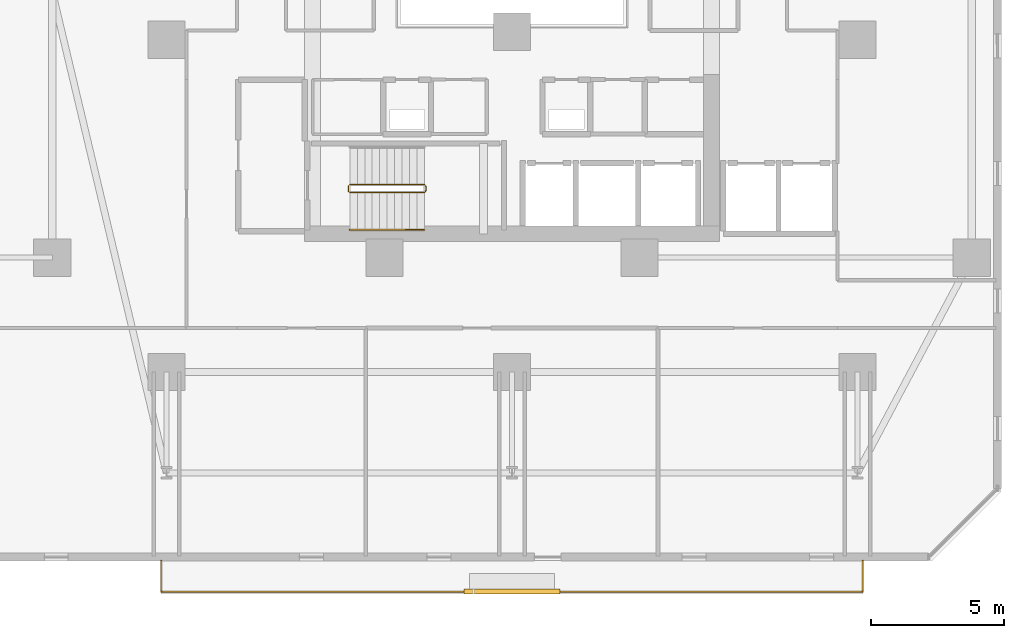
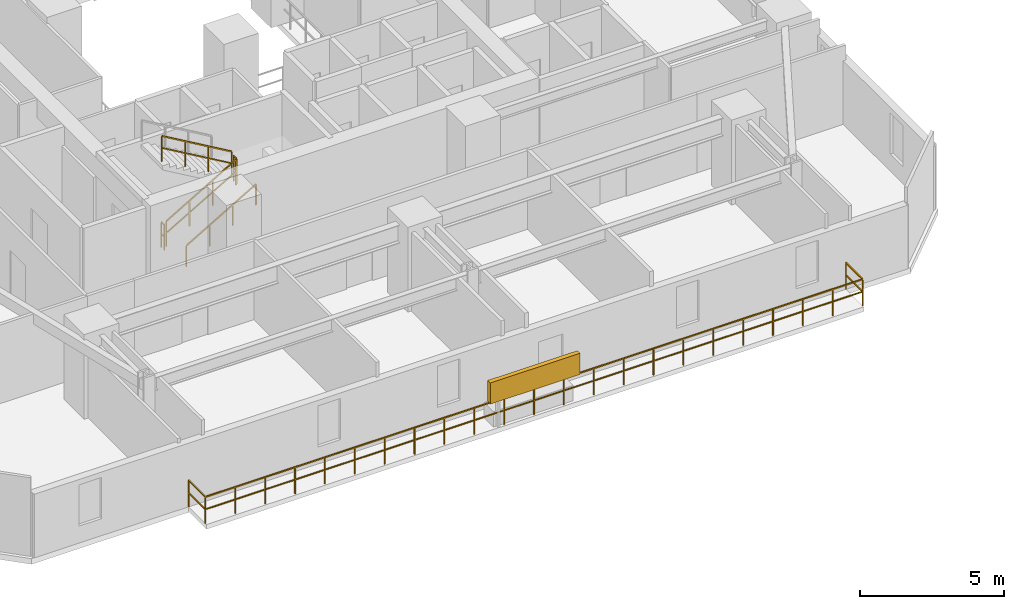
# One storey, part 29 of 33: 6 railings, 1 shading device.
"""IFC4 building model written with IfcOpenShell, lengths in metres."""

from ifc_helpers import new_model, si_unit, direction, frame, origin, origin_2d, place, context, subcontext, project, spatial, rectangle, extrude, material, type_object, element, save


model = new_model("IFC4")

# Units and contexts
model_context = context("Model", 3, precision=1e-05, world=origin(), true_north=direction((0.0, 1.0)))
body_context = subcontext(model_context, "Body", "Model", "MODEL_VIEW")
ifc_project = project(units=[si_unit("LENGTHUNIT", "METRE"), si_unit("AREAUNIT", "SQUARE_METRE"), si_unit("VOLUMEUNIT", "CUBIC_METRE"), si_unit("PLANEANGLEUNIT", "RADIAN"), si_unit("MASSUNIT", "GRAM", prefix="KILO")], contexts=[model_context])

# Site, building, storey
site_placement = place(None, origin())
site = spatial("IfcSite", under=ifc_project, at=site_placement, CompositionType="ELEMENT")
building_placement = place(site_placement, origin())
building = spatial("IfcBuilding", under=site, at=building_placement, Name="Thornwick Lancets Civic Towers", CompositionType="ELEMENT")
storey_placement = place(building_placement, frame((0.0, 0.0, 42.300048828125)))
storey = spatial("IfcBuildingStorey", under=building, at=storey_placement, Name="L10", CompositionType="ELEMENT", Elevation=42.300048828125)

# Railings
ifc_material_1 = material(Name="Brushed stainless steel S355", Category="steel")
railing_type_1 = type_object("IfcRailingType", Name="RAIL_HANDRAIL", PredefinedType="HANDRAIL", material=ifc_material_1)
railing_1_placement = place(storey_placement, frame((19.39990234375, 15.050048828125, 0.16357421875)))
element("IfcRailing", 1, at=railing_1_placement, inside=storey, type_object=railing_type_1, Name="L10 ST-A1 stair handrail 1", PredefinedType="HANDRAIL", context=body_context, shape_type="SweptSolid", body=[
    extrude(rectangle(XDim=0.048095703125, YDim=0.048095703125, at=origin_2d()), frame((0.0, 0.0, 0.8857421875), z_axis=(0.863360870873, 0.0, 0.504586966384), x_axis=(0.0, 1.0, 0.0)), (0.0, 0.0, 1.0), 3.2431640625),
    extrude(rectangle(XDim=0.0419921875, YDim=0.0419921875, at=origin_2d()), origin(), (0.0, 0.0, 1.0), 0.855712890625),
    extrude(rectangle(XDim=0.0419921875, YDim=0.0419921875, at=origin_2d()), frame((0.933349609375, 0.0, 0.54541015625)), (0.0, 0.0, 1.0), 0.855712890625),
    extrude(rectangle(XDim=0.0419921875, YDim=0.0419921875, at=origin_2d()), frame((1.86669921875, 0.0, 1.091064453125)), (0.0, 0.0, 1.0), 0.855712890625),
    extrude(rectangle(XDim=0.0419921875, YDim=0.0419921875, at=origin_2d()), frame((2.800048828125, 0.0, 1.636474609375)), (0.0, 0.0, 1.0), 0.855712890625),
])
ifc_material_2 = material(Name="Steel S355JR", Category="steel")
railing_type_2 = type_object("IfcRailingType", Name="RAIL_STAIR_GUARD", PredefinedType="GUARDRAIL", material=ifc_material_2)
railing_2_placement = place(storey_placement, frame((19.39990234375, 16.449951171875, 0.16357421875)))
element("IfcRailing", 2, at=railing_2_placement, inside=storey, type_object=railing_type_2, Name="L10 ST-A1 stair guard 1", PredefinedType="GUARDRAIL", context=body_context, shape_type="SweptSolid", body=[
    extrude(rectangle(XDim=0.048095703125, YDim=0.048095703125, at=origin_2d()), frame((0.0, 0.0, 1.076171875), z_axis=(0.863360870873, 0.0, 0.504586966384), x_axis=(0.0, 1.0, 0.0)), (0.0, 0.0, 1.0), 3.2431640625),
    extrude(rectangle(XDim=0.0419921875, YDim=0.0419921875, at=origin_2d()), frame((0.032470703125, 0.0, 0.591064453125), z_axis=(0.863360870873, 0.0, 0.504586966384), x_axis=(0.0, 1.0, 0.0)), (0.0, 0.0, 1.0), 1.006103515625),
    extrude(rectangle(XDim=0.0419921875, YDim=0.0419921875, at=origin_2d()), frame((0.9658203125, 0.0, 1.136474609375), z_axis=(0.863360870873, 0.0, 0.504586966384), x_axis=(0.0, 1.0, 0.0)), (0.0, 0.0, 1.0), 1.006103515625),
    extrude(rectangle(XDim=0.0419921875, YDim=0.0419921875, at=origin_2d()), frame((1.899169921875, 0.0, 1.681884765625), z_axis=(0.863360870873, 0.0, 0.504586966384), x_axis=(0.0, 1.0, 0.0)), (0.0, 0.0, 1.0), 1.006103515625),
    extrude(rectangle(XDim=0.0419921875, YDim=0.0419921875, at=origin_2d()), origin(), (0.0, 0.0, 1.0), 1.0458984375),
    extrude(rectangle(XDim=0.0419921875, YDim=0.0419921875, at=origin_2d()), frame((0.933349609375, 0.0, 0.54541015625)), (0.0, 0.0, 1.0), 1.0458984375),
    extrude(rectangle(XDim=0.0419921875, YDim=0.0419921875, at=origin_2d()), frame((1.86669921875, 0.0, 1.091064453125)), (0.0, 0.0, 1.0), 1.0458984375),
    extrude(rectangle(XDim=0.0419921875, YDim=0.0419921875, at=origin_2d()), frame((2.800048828125, 0.0, 1.636474609375)), (0.0, 0.0, 1.0), 1.0458984375),
])
railing_3_placement = place(storey_placement, frame((22.25, 16.5, 1.800048828125)))
element("IfcRailing", 3, at=railing_3_placement, inside=storey, type_object=railing_type_2, Name="L10 ST-A1 stair guard 2", PredefinedType="GUARDRAIL", context=body_context, shape_type="SweptSolid", body=[
    extrude(rectangle(XDim=0.048095703125, YDim=0.048095703125, at=origin_2d()), frame((0.0, 0.0, 1.076171875), z_axis=(0.0, 1.0, 0.0), x_axis=(-1.0, 0.0, 0.0)), (0.0, 0.0, 1.0), 0.199951171875),
    extrude(rectangle(XDim=0.0419921875, YDim=0.0419921875, at=origin_2d()), frame((0.0, 0.03759765625, 0.572021484375), z_axis=(0.0, 1.0, 0.0), x_axis=(-1.0, 0.0, 0.0)), (0.0, 0.0, 1.0), 0.125),
    extrude(rectangle(XDim=0.0419921875, YDim=0.0419921875, at=origin_2d()), origin(), (0.0, 0.0, 1.0), 1.0458984375),
    extrude(rectangle(XDim=0.0419921875, YDim=0.0419921875, at=origin_2d()), frame((0.0, 0.199951171875, 0.0)), (0.0, 0.0, 1.0), 1.0458984375),
])
railing_4_placement = place(storey_placement, frame((22.199951171875, 16.75, 1.963623046875)))
element("IfcRailing", 4, at=railing_4_placement, inside=storey, type_object=railing_type_2, Name="L10 ST-A1 stair guard 3", PredefinedType="GUARDRAIL", context=body_context, shape_type="SweptSolid", body=[
    extrude(rectangle(XDim=0.048095703125, YDim=0.048095703125, at=origin_2d()), frame((0.0, 0.0, 1.076171875), z_axis=(-0.863393664356, 0.0, 0.504530851732), x_axis=(0.0, -1.0, 0.0)), (0.0, 0.0, 1.0), 3.2431640625),
    extrude(rectangle(XDim=0.0419921875, YDim=0.0419921875, at=origin_2d()), frame((-0.032470703125, 0.0, 0.591064453125), z_axis=(-0.863393664356, 0.0, 0.504530851732), x_axis=(0.0, -1.0, 0.0)), (0.0, 0.0, 1.0), 1.006103515625),
    extrude(rectangle(XDim=0.0419921875, YDim=0.0419921875, at=origin_2d()), frame((-0.9658203125, 0.0, 1.136474609375), z_axis=(-0.863393664356, 0.0, 0.504530851732), x_axis=(0.0, -1.0, 0.0)), (0.0, 0.0, 1.0), 1.006103515625),
    extrude(rectangle(XDim=0.0419921875, YDim=0.0419921875, at=origin_2d()), frame((-1.899169921875, 0.0, 1.681884765625), z_axis=(-0.863393664356, 0.0, 0.504530851732), x_axis=(0.0, -1.0, 0.0)), (0.0, 0.0, 1.0), 1.006103515625),
    extrude(rectangle(XDim=0.0419921875, YDim=0.0419921875, at=origin_2d()), origin(), (0.0, 0.0, 1.0), 1.0458984375),
    extrude(rectangle(XDim=0.0419921875, YDim=0.0419921875, at=origin_2d()), frame((-0.933349609375, 0.0, 0.54541015625)), (0.0, 0.0, 1.0), 1.0458984375),
    extrude(rectangle(XDim=0.0419921875, YDim=0.0419921875, at=origin_2d()), frame((-1.86669921875, 0.0, 1.0908203125)), (0.0, 0.0, 1.0), 1.0458984375),
    extrude(rectangle(XDim=0.0419921875, YDim=0.0419921875, at=origin_2d()), frame((-2.800048828125, 0.0, 1.63623046875)), (0.0, 0.0, 1.0), 1.0458984375),
])
railing_5_placement = place(storey_placement, frame((19.35009765625, 16.5, 0.0)))
element("IfcRailing", 5, at=railing_5_placement, inside=storey, type_object=railing_type_2, Name="L10 ST-A1 stair guard 4", PredefinedType="GUARDRAIL", context=body_context, shape_type="SweptSolid", body=[
    extrude(rectangle(XDim=0.048095703125, YDim=0.048095703125, at=origin_2d()), frame((0.0, 0.0, 1.076171875), z_axis=(0.0, 1.0, 0.0), x_axis=(-1.0, 0.0, 0.0)), (0.0, 0.0, 1.0), 0.199951171875),
    extrude(rectangle(XDim=0.0419921875, YDim=0.0419921875, at=origin_2d()), frame((0.0, 0.03759765625, 0.572021484375), z_axis=(0.0, 1.0, 0.0), x_axis=(-1.0, 0.0, 0.0)), (0.0, 0.0, 1.0), 0.125),
    extrude(rectangle(XDim=0.0419921875, YDim=0.0419921875, at=origin_2d()), origin(), (0.0, 0.0, 1.0), 1.0458984375),
    extrude(rectangle(XDim=0.0419921875, YDim=0.0419921875, at=origin_2d()), frame((0.0, 0.199951171875, 0.0)), (0.0, 0.0, 1.0), 1.0458984375),
])
ifc_material_3 = material(Name="Terracotta-capped laminated glass balustrade S355", Category="masonry")
railing_type_3 = type_object("IfcRailingType", Name="RAIL_TERR_GUARD", PredefinedType="GUARDRAIL", material=ifc_material_3)
railing_6_placement = place(storey_placement, frame((12.300048828125, 2.60009765625, 0.0)))
element("IfcRailing", 6, at=railing_6_placement, inside=storey, type_object=railing_type_3, Name="L10 Tower A Balcony Guard S", PredefinedType="GUARDRAIL", context=body_context, shape_type="SweptSolid", body=[
    extrude(rectangle(XDim=0.048095703125, YDim=0.048095703125, at=origin_2d()), frame((0.0, 0.0, 1.1259765625), z_axis=(0.0, -1.0, 0.0), x_axis=(1.0, 0.0, 0.0)), (0.0, 0.0, 1.0), 1.138916015625),
    extrude(rectangle(XDim=0.0419921875, YDim=0.0419921875, at=origin_2d()), frame((0.0, -0.03759765625, 0.597900390625), z_axis=(0.0, -1.0, 0.0), x_axis=(1.0, 0.0, 0.0)), (0.0, 0.0, 1.0), 1.09521484375),
    extrude(rectangle(XDim=0.048095703125, YDim=0.048095703125, at=origin_2d()), frame((0.03125, -1.170166015625, 1.1259765625), z_axis=(1.0, 0.0, 0.0), x_axis=(0.0, 1.0, 0.0)), (0.0, 0.0, 1.0), 26.33740234375),
    extrude(rectangle(XDim=0.0419921875, YDim=0.0419921875, at=origin_2d()), frame((0.03759765625, -1.170166015625, 0.597900390625), z_axis=(1.0, 0.0, 0.0), x_axis=(0.0, 1.0, 0.0)), (0.0, 0.0, 1.0), 1.125),
    extrude(rectangle(XDim=0.0419921875, YDim=0.0419921875, at=origin_2d()), frame((1.237548828125, -1.170166015625, 0.597900390625), z_axis=(1.0, 0.0, 0.0), x_axis=(0.0, 1.0, 0.0)), (0.0, 0.0, 1.0), 1.125),
    extrude(rectangle(XDim=0.0419921875, YDim=0.0419921875, at=origin_2d()), frame((2.4375, -1.170166015625, 0.597900390625), z_axis=(1.0, 0.0, 0.0), x_axis=(0.0, 1.0, 0.0)), (0.0, 0.0, 1.0), 1.125),
    extrude(rectangle(XDim=0.0419921875, YDim=0.0419921875, at=origin_2d()), frame((3.637451171875, -1.170166015625, 0.597900390625), z_axis=(1.0, 0.0, 0.0), x_axis=(0.0, 1.0, 0.0)), (0.0, 0.0, 1.0), 1.125),
    extrude(rectangle(XDim=0.0419921875, YDim=0.0419921875, at=origin_2d()), frame((4.83740234375, -1.170166015625, 0.597900390625), z_axis=(1.0, 0.0, 0.0), x_axis=(0.0, 1.0, 0.0)), (0.0, 0.0, 1.0), 1.125),
    extrude(rectangle(XDim=0.0419921875, YDim=0.0419921875, at=origin_2d()), frame((6.037353515625, -1.170166015625, 0.597900390625), z_axis=(1.0, 0.0, 0.0), x_axis=(0.0, 1.0, 0.0)), (0.0, 0.0, 1.0), 1.125),
    extrude(rectangle(XDim=0.0419921875, YDim=0.0419921875, at=origin_2d()), frame((7.237548828125, -1.170166015625, 0.597900390625), z_axis=(1.0, 0.0, 0.0), x_axis=(0.0, 1.0, 0.0)), (0.0, 0.0, 1.0), 1.125),
    extrude(rectangle(XDim=0.0419921875, YDim=0.0419921875, at=origin_2d()), frame((8.4375, -1.170166015625, 0.597900390625), z_axis=(1.0, 0.0, 0.0), x_axis=(0.0, 1.0, 0.0)), (0.0, 0.0, 1.0), 1.125),
    extrude(rectangle(XDim=0.0419921875, YDim=0.0419921875, at=origin_2d()), frame((9.637451171875, -1.170166015625, 0.597900390625), z_axis=(1.0, 0.0, 0.0), x_axis=(0.0, 1.0, 0.0)), (0.0, 0.0, 1.0), 1.125),
    extrude(rectangle(XDim=0.0419921875, YDim=0.0419921875, at=origin_2d()), frame((10.83740234375, -1.170166015625, 0.597900390625), z_axis=(1.0, 0.0, 0.0), x_axis=(0.0, 1.0, 0.0)), (0.0, 0.0, 1.0), 1.125),
    extrude(rectangle(XDim=0.0419921875, YDim=0.0419921875, at=origin_2d()), frame((12.037353515625, -1.170166015625, 0.597900390625), z_axis=(1.0, 0.0, 0.0), x_axis=(0.0, 1.0, 0.0)), (0.0, 0.0, 1.0), 1.125),
    extrude(rectangle(XDim=0.0419921875, YDim=0.0419921875, at=origin_2d()), frame((13.237548828125, -1.170166015625, 0.597900390625), z_axis=(1.0, 0.0, 0.0), x_axis=(0.0, 1.0, 0.0)), (0.0, 0.0, 1.0), 1.125),
    extrude(rectangle(XDim=0.0419921875, YDim=0.0419921875, at=origin_2d()), frame((14.4375, -1.170166015625, 0.597900390625), z_axis=(1.0, 0.0, 0.0), x_axis=(0.0, 1.0, 0.0)), (0.0, 0.0, 1.0), 1.125),
    extrude(rectangle(XDim=0.0419921875, YDim=0.0419921875, at=origin_2d()), frame((15.637451171875, -1.170166015625, 0.597900390625), z_axis=(1.0, 0.0, 0.0), x_axis=(0.0, 1.0, 0.0)), (0.0, 0.0, 1.0), 1.125),
    extrude(rectangle(XDim=0.0419921875, YDim=0.0419921875, at=origin_2d()), frame((16.83740234375, -1.170166015625, 0.597900390625), z_axis=(1.0, 0.0, 0.0), x_axis=(0.0, 1.0, 0.0)), (0.0, 0.0, 1.0), 1.125),
    extrude(rectangle(XDim=0.0419921875, YDim=0.0419921875, at=origin_2d()), frame((18.037353515625, -1.170166015625, 0.597900390625), z_axis=(1.0, 0.0, 0.0), x_axis=(0.0, 1.0, 0.0)), (0.0, 0.0, 1.0), 1.125),
    extrude(rectangle(XDim=0.0419921875, YDim=0.0419921875, at=origin_2d()), frame((19.2373046875, -1.170166015625, 0.597900390625), z_axis=(1.0, 0.0, 0.0), x_axis=(0.0, 1.0, 0.0)), (0.0, 0.0, 1.0), 1.125),
    extrude(rectangle(XDim=0.0419921875, YDim=0.0419921875, at=origin_2d()), frame((20.4375, -1.170166015625, 0.597900390625), z_axis=(1.0, 0.0, 0.0), x_axis=(0.0, 1.0, 0.0)), (0.0, 0.0, 1.0), 1.125),
    extrude(rectangle(XDim=0.0419921875, YDim=0.0419921875, at=origin_2d()), frame((21.637451171875, -1.170166015625, 0.597900390625), z_axis=(1.0, 0.0, 0.0), x_axis=(0.0, 1.0, 0.0)), (0.0, 0.0, 1.0), 1.125),
    extrude(rectangle(XDim=0.0419921875, YDim=0.0419921875, at=origin_2d()), frame((22.83740234375, -1.170166015625, 0.597900390625), z_axis=(1.0, 0.0, 0.0), x_axis=(0.0, 1.0, 0.0)), (0.0, 0.0, 1.0), 1.125),
    extrude(rectangle(XDim=0.0419921875, YDim=0.0419921875, at=origin_2d()), frame((24.037353515625, -1.170166015625, 0.597900390625), z_axis=(1.0, 0.0, 0.0), x_axis=(0.0, 1.0, 0.0)), (0.0, 0.0, 1.0), 1.125),
    extrude(rectangle(XDim=0.0419921875, YDim=0.0419921875, at=origin_2d()), frame((25.2373046875, -1.170166015625, 0.597900390625), z_axis=(1.0, 0.0, 0.0), x_axis=(0.0, 1.0, 0.0)), (0.0, 0.0, 1.0), 1.125),
    extrude(rectangle(XDim=0.048095703125, YDim=0.048095703125, at=origin_2d()), frame((26.39990234375, -1.138916015625, 1.1259765625), z_axis=(0.0, 1.0, 0.0), x_axis=(-1.0, 0.0, 0.0)), (0.0, 0.0, 1.0), 1.138916015625),
    extrude(rectangle(XDim=0.0419921875, YDim=0.0419921875, at=origin_2d()), frame((26.39990234375, -1.132568359375, 0.597900390625), z_axis=(0.0, 1.0, 0.0), x_axis=(-1.0, 0.0, 0.0)), (0.0, 0.0, 1.0), 1.09521484375),
    extrude(rectangle(XDim=0.0419921875, YDim=0.0419921875, at=origin_2d()), origin(), (0.0, 0.0, 1.0), 1.095703125),
    extrude(rectangle(XDim=0.0419921875, YDim=0.0419921875, at=origin_2d()), frame((0.0, -1.170166015625, 0.0)), (0.0, 0.0, 1.0), 1.095703125),
    extrude(rectangle(XDim=0.0419921875, YDim=0.0419921875, at=origin_2d()), frame((1.199951171875, -1.170166015625, 0.0)), (0.0, 0.0, 1.0), 1.095703125),
    extrude(rectangle(XDim=0.0419921875, YDim=0.0419921875, at=origin_2d()), frame((2.39990234375, -1.170166015625, 0.0)), (0.0, 0.0, 1.0), 1.095703125),
    extrude(rectangle(XDim=0.0419921875, YDim=0.0419921875, at=origin_2d()), frame((3.60009765625, -1.170166015625, 0.0)), (0.0, 0.0, 1.0), 1.095703125),
    extrude(rectangle(XDim=0.0419921875, YDim=0.0419921875, at=origin_2d()), frame((4.800048828125, -1.170166015625, 0.0)), (0.0, 0.0, 1.0), 1.095703125),
    extrude(rectangle(XDim=0.0419921875, YDim=0.0419921875, at=origin_2d()), frame((6.0, -1.170166015625, 0.0)), (0.0, 0.0, 1.0), 1.095703125),
    extrude(rectangle(XDim=0.0419921875, YDim=0.0419921875, at=origin_2d()), frame((7.199951171875, -1.170166015625, 0.0)), (0.0, 0.0, 1.0), 1.095703125),
    extrude(rectangle(XDim=0.0419921875, YDim=0.0419921875, at=origin_2d()), frame((8.39990234375, -1.170166015625, 0.0)), (0.0, 0.0, 1.0), 1.095703125),
    extrude(rectangle(XDim=0.0419921875, YDim=0.0419921875, at=origin_2d()), frame((9.599853515625, -1.170166015625, 0.0)), (0.0, 0.0, 1.0), 1.095703125),
    extrude(rectangle(XDim=0.0419921875, YDim=0.0419921875, at=origin_2d()), frame((10.800048828125, -1.170166015625, 0.0)), (0.0, 0.0, 1.0), 1.095703125),
    extrude(rectangle(XDim=0.0419921875, YDim=0.0419921875, at=origin_2d()), frame((12.0, -1.170166015625, 0.0)), (0.0, 0.0, 1.0), 1.095703125),
    extrude(rectangle(XDim=0.0419921875, YDim=0.0419921875, at=origin_2d()), frame((13.199951171875, -1.170166015625, 0.0)), (0.0, 0.0, 1.0), 1.095703125),
    extrude(rectangle(XDim=0.0419921875, YDim=0.0419921875, at=origin_2d()), frame((14.39990234375, -1.170166015625, 0.0)), (0.0, 0.0, 1.0), 1.095703125),
    extrude(rectangle(XDim=0.0419921875, YDim=0.0419921875, at=origin_2d()), frame((15.599853515625, -1.170166015625, 0.0)), (0.0, 0.0, 1.0), 1.095703125),
    extrude(rectangle(XDim=0.0419921875, YDim=0.0419921875, at=origin_2d()), frame((16.800048828125, -1.170166015625, 0.0)), (0.0, 0.0, 1.0), 1.095703125),
    extrude(rectangle(XDim=0.0419921875, YDim=0.0419921875, at=origin_2d()), frame((18.0, -1.170166015625, 0.0)), (0.0, 0.0, 1.0), 1.095703125),
    extrude(rectangle(XDim=0.0419921875, YDim=0.0419921875, at=origin_2d()), frame((19.199951171875, -1.170166015625, 0.0)), (0.0, 0.0, 1.0), 1.095703125),
    extrude(rectangle(XDim=0.0419921875, YDim=0.0419921875, at=origin_2d()), frame((20.39990234375, -1.170166015625, 0.0)), (0.0, 0.0, 1.0), 1.095703125),
    extrude(rectangle(XDim=0.0419921875, YDim=0.0419921875, at=origin_2d()), frame((21.599853515625, -1.170166015625, 0.0)), (0.0, 0.0, 1.0), 1.095703125),
    extrude(rectangle(XDim=0.0419921875, YDim=0.0419921875, at=origin_2d()), frame((22.7998046875, -1.170166015625, 0.0)), (0.0, 0.0, 1.0), 1.095703125),
    extrude(rectangle(XDim=0.0419921875, YDim=0.0419921875, at=origin_2d()), frame((24.0, -1.170166015625, 0.0)), (0.0, 0.0, 1.0), 1.095703125),
    extrude(rectangle(XDim=0.0419921875, YDim=0.0419921875, at=origin_2d()), frame((25.199951171875, -1.170166015625, 0.0)), (0.0, 0.0, 1.0), 1.095703125),
    extrude(rectangle(XDim=0.0419921875, YDim=0.0419921875, at=origin_2d()), frame((26.39990234375, -1.170166015625, 0.0)), (0.0, 0.0, 1.0), 1.095703125),
    extrude(rectangle(XDim=0.0419921875, YDim=0.0419921875, at=origin_2d()), frame((26.39990234375, 0.0, 0.0)), (0.0, 0.0, 1.0), 1.095703125),
])

# Shading device
ifc_material_4 = material(Name="Extruded terracotta baguette solar screen", Category="masonry")
shading_device_type = type_object("IfcShadingDeviceType", Name="SHADE_BAGUETTE", PredefinedType="JALOUSIE", material=ifc_material_4)
shading_device_placement = place(storey_placement, frame((25.5, 1.43994140625, 1.1201171875), z_axis=(0.0, 0.0, 1.0), x_axis=(1.0, 0.0, 0.0)))
element("IfcShadingDevice", 7, at=shading_device_placement, inside=storey, type_object=shading_device_type, Name="L10 Tower A Terracotta Baguette Screen S", PredefinedType="JALOUSIE", context=body_context, shape_type="SweptSolid", body=[
    extrude(rectangle(XDim=3.60009765625, YDim=0.179931640625, at=origin_2d()), origin(), (0.0, 0.0, 1.0), 0.89990234375),
])

save(model, "model.ifc")
